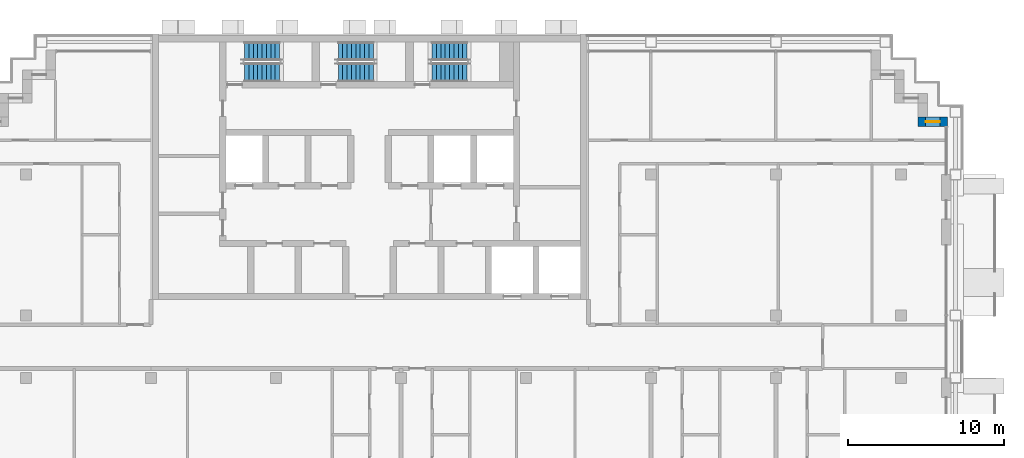
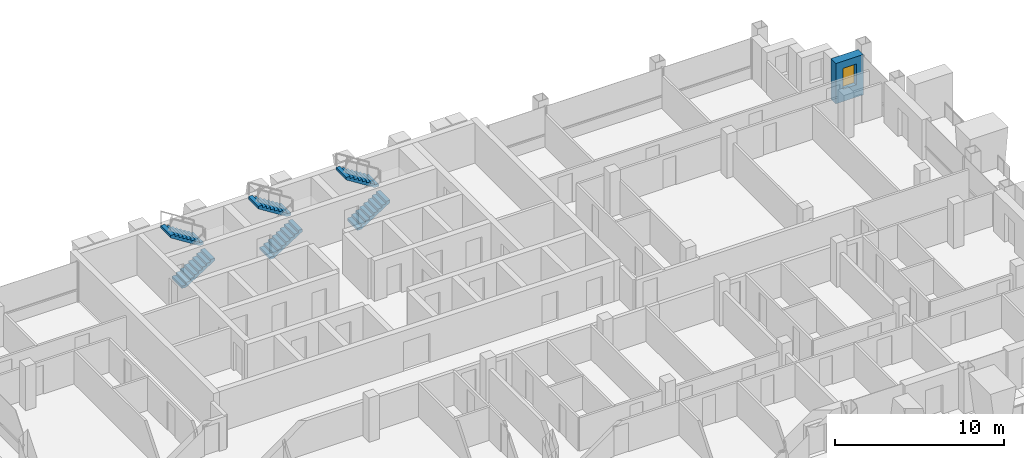
# One storey, part 12 of 16: 6 stair flights, 1 wall, 1 window, 1 opening, 3 elements without a shape of their own.
"""IFC4 building model written with IfcOpenShell, lengths in metres."""

from ifc_helpers import new_model, si_unit, direction, frame, frame_2d, origin, place, context, subcontext, project, spatial, polyline, rectangle, outline, extrude, material, layer, layer_set, type_object, element, fill, aggregate, save


model = new_model("IFC4")

# Units and contexts
model_context = context("Model", 3, precision=1e-05, world=origin(), true_north=direction((0.0, 1.0)))
body_context = subcontext(model_context, "Body", "Model", "MODEL_VIEW")
ifc_project = project(units=[si_unit("LENGTHUNIT", "METRE"), si_unit("AREAUNIT", "SQUARE_METRE"), si_unit("VOLUMEUNIT", "CUBIC_METRE"), si_unit("PLANEANGLEUNIT", "RADIAN"), si_unit("MASSUNIT", "GRAM", prefix="KILO")], contexts=[model_context])

# Site, building, storey
site_placement = place(None, origin())
site = spatial("IfcSite", under=ifc_project, at=site_placement, CompositionType="ELEMENT")
building_placement = place(site_placement, origin())
building = spatial("IfcBuilding", under=site, at=building_placement, Name="Vidyagriha Tower", CompositionType="ELEMENT")
storey_placement = place(building_placement, frame((0.0, 0.0, 178.10009765625)))
storey = spatial("IfcBuildingStorey", under=building, at=storey_placement, Name="L46", CompositionType="ELEMENT", Elevation=178.10009765625)

# Wall, opening, window
ifc_material_1 = material(Name="Precast concrete C40/50 with brick facing", Category="concrete")
ifc_layer = layer(ifc_material_1, 0.60009765625)
ifc_layer_set = layer_set([ifc_layer], Name="Precast concrete C40/50 with brick facing")
wall_type = type_object("IfcWallType", Name="Brick-faced precast wall 600", PredefinedType="STANDARD", material=ifc_layer_set)
wall_placement = place(storey_placement, frame((36.97998046875, 14.39990234375, 0.0), z_axis=(0.0, 0.0, 1.0), x_axis=(-1.0, 0.0, 0.0)))
wall = element("IfcWall", 1, at=wall_placement, inside=storey, type_object=wall_type, Name="Stepped corner wall L46 R01", PredefinedType="STANDARD", context=body_context, shape_type="SweptSolid", body=[
    extrude(rectangle(XDim=1.8798828125, YDim=0.60009765625, at=frame_2d((0.93994140625, 0.0))), origin(), (0.0, 0.0, 1.0), 2.919921875),
])
opening_placement = place(wall_placement, frame((0.489990234375, 0.0, 0.89990234375)))
opening = element("IfcOpeningElement", 2, at=opening_placement, cuts=wall, Name="Opening WN1", PredefinedType="OPENING", context=body_context, shape_type="SweptSolid", body=[
    extrude(rectangle(XDim=0.89990234375, YDim=1.5, at=frame_2d((0.449951171875, 0.75))), frame((0.0, 0.31005859375, 0.0), z_axis=(0.0, -1.0, 0.0), x_axis=(1.0, 0.0, 0.0)), (0.0, 0.0, 1.0), 0.6201171875),
])
ifc_material_2 = material(Name="Aluminium and glass window", Category="aluminium")
window_type = type_object("IfcWindowType", Name="Reveal window 900x1500", PartitioningType="NOTDEFINED", PredefinedType="WINDOW", material=ifc_material_2)
window_placement = place(opening_placement, origin())
window = element("IfcWindow", 3, at=window_placement, inside=storey, type_object=window_type, Name="Reveal window L46 R01", OverallHeight=1.5, OverallWidth=0.89990234375, PartitioningType="SINGLE_PANEL", PredefinedType="WINDOW", context=body_context, shape_type="SweptSolid", body=[
    extrude(rectangle(XDim=0.89990234375, YDim=1.5, at=frame_2d((0.449951171875, 0.75))), frame((0.0, 0.030029296875, 0.0), z_axis=(0.0, -1.0, 0.0), x_axis=(1.0, 0.0, 0.0)), (0.0, 0.0, 1.0), 0.06005859375),
])
fill(opening, window)

# Stair, stair flights
ifc_material_3 = material(Name="Concrete C40/50", Category="concrete")
stair_type = type_object("IfcStairType", Name="Exit stair, half-turn, precast flights", PredefinedType="HALF_TURN_STAIR", material=ifc_material_3)
stair_1_placement = place(storey_placement, origin())
stair_1 = element("IfcStair", 4, at=stair_1_placement, inside=storey, type_object=stair_type, Name="L46 Exit Stair ST1", PredefinedType="HALF_TURN_STAIR")
ifc_material_4 = material(Name="Precast concrete C40/50", Category="concrete")
stair_flight_type = type_object("IfcStairFlightType", Name="Exit stair flight 1200 mm, precast", PredefinedType="STRAIGHT", material=ifc_material_4)
stair_flight_1_placement = place(storey_placement, frame((-8.0, 17.550048828125, 0.0)))
stair_flight_1 = element("IfcStairFlight", 5, at=stair_flight_1_placement, type_object=stair_flight_type, Name="ST1 flight 1", NumberOfRisers=9, NumberOfTreads=8, PredefinedType="STRAIGHT", RiserHeight=0.177777778, TreadLength=0.28, context=body_context, shape_type="SweptSolid", body=[
    extrude(outline(polyline([(0.0, 0.0), (0.0, 0.177734375), (0.280029296875, 0.177734375), (0.280029296875, 0.35546875), (0.56005859375, 0.35546875), (0.56005859375, 0.533447265625), (0.840087890625, 0.533447265625), (0.840087890625, 0.711181640625), (1.1201171875, 0.711181640625), (1.1201171875, 0.888916015625), (1.39990234375, 0.888916015625), (1.39990234375, 1.066650390625), (1.679931640625, 1.066650390625), (1.679931640625, 1.244384765625), (1.9599609375, 1.244384765625), (1.9599609375, 1.422119140625), (2.239990234375, 1.422119140625), (2.239990234375, 1.60009765625), (2.239990234375, 1.24462890625), (0.27978515625, 0.0), (0.0, 0.0)])), frame((0.0, 0.60009765625, 0.0), z_axis=(0.0, -1.0, 0.0), x_axis=(1.0, 0.0, 0.0)), (0.0, 0.0, 1.0), 1.199951171875),
])
stair_flight_2_placement = place(storey_placement, frame((-5.760009765625, 18.89990234375, 1.599853515625), z_axis=(0.0, 0.0, 1.0), x_axis=(-1.0, 0.0, 0.0)))
stair_flight_2 = element("IfcStairFlight", 6, at=stair_flight_2_placement, type_object=stair_flight_type, Name="ST1 flight 2", NumberOfRisers=9, NumberOfTreads=8, PredefinedType="STRAIGHT", RiserHeight=0.177777778, TreadLength=0.28, context=body_context, shape_type="SweptSolid", body=[
    extrude(outline(polyline([(0.0, 0.0), (0.0, 0.177734375), (0.280029296875, 0.177734375), (0.280029296875, 0.35546875), (0.56005859375, 0.35546875), (0.56005859375, 0.533447265625), (0.840087890625, 0.533447265625), (0.840087890625, 0.711181640625), (1.1201171875, 0.711181640625), (1.1201171875, 0.888916015625), (1.39990234375, 0.888916015625), (1.39990234375, 1.066650390625), (1.679931640625, 1.066650390625), (1.679931640625, 1.244384765625), (1.9599609375, 1.244384765625), (1.9599609375, 1.422119140625), (2.239990234375, 1.422119140625), (2.239990234375, 1.60009765625), (2.239990234375, 1.24462890625), (0.27978515625, 0.0), (0.0, 0.0)])), frame((0.0, 0.60009765625, 0.0), z_axis=(0.0, -1.0, 0.0), x_axis=(1.0, 0.0, 0.0)), (0.0, 0.0, 1.0), 1.199951171875),
])
aggregate(stair_1, [stair_flight_1, stair_flight_2])

stair_2_placement = place(storey_placement, origin())
stair_2 = element("IfcStair", 7, at=stair_2_placement, inside=storey, type_object=stair_type, Name="L46 Exit Stair ST2", PredefinedType="HALF_TURN_STAIR")
stair_flight_3_placement = place(storey_placement, frame((-2.0, 17.550048828125, 0.0)))
stair_flight_3 = element("IfcStairFlight", 8, at=stair_flight_3_placement, type_object=stair_flight_type, Name="ST2 flight 1", NumberOfRisers=9, NumberOfTreads=8, PredefinedType="STRAIGHT", RiserHeight=0.177777778, TreadLength=0.28, context=body_context, shape_type="SweptSolid", body=[
    extrude(outline(polyline([(0.0, 0.0), (0.0, 0.177734375), (0.280029296875, 0.177734375), (0.280029296875, 0.35546875), (0.56005859375, 0.35546875), (0.56005859375, 0.533447265625), (0.840087890625, 0.533447265625), (0.840087890625, 0.711181640625), (1.1201171875, 0.711181640625), (1.1201171875, 0.888916015625), (1.39990234375, 0.888916015625), (1.39990234375, 1.066650390625), (1.679931640625, 1.066650390625), (1.679931640625, 1.244384765625), (1.9599609375, 1.244384765625), (1.9599609375, 1.422119140625), (2.239990234375, 1.422119140625), (2.239990234375, 1.60009765625), (2.239990234375, 1.24462890625), (0.27978515625, 0.0), (0.0, 0.0)])), frame((0.0, 0.60009765625, 0.0), z_axis=(0.0, -1.0, 0.0), x_axis=(1.0, 0.0, 0.0)), (0.0, 0.0, 1.0), 1.199951171875),
])
stair_flight_4_placement = place(storey_placement, frame((0.239990234375, 18.89990234375, 1.599853515625), z_axis=(0.0, 0.0, 1.0), x_axis=(-1.0, 0.0, 0.0)))
stair_flight_4 = element("IfcStairFlight", 9, at=stair_flight_4_placement, type_object=stair_flight_type, Name="ST2 flight 2", NumberOfRisers=9, NumberOfTreads=8, PredefinedType="STRAIGHT", RiserHeight=0.177777778, TreadLength=0.28, context=body_context, shape_type="SweptSolid", body=[
    extrude(outline(polyline([(0.0, 0.0), (0.0, 0.177734375), (0.280029296875, 0.177734375), (0.280029296875, 0.35546875), (0.56005859375, 0.35546875), (0.56005859375, 0.533447265625), (0.840087890625, 0.533447265625), (0.840087890625, 0.711181640625), (1.1201171875, 0.711181640625), (1.1201171875, 0.888916015625), (1.39990234375, 0.888916015625), (1.39990234375, 1.066650390625), (1.679931640625, 1.066650390625), (1.679931640625, 1.244384765625), (1.9599609375, 1.244384765625), (1.9599609375, 1.422119140625), (2.239990234375, 1.422119140625), (2.239990234375, 1.60009765625), (2.239990234375, 1.24462890625), (0.27978515625, 0.0), (0.0, 0.0)])), frame((0.0, 0.60009765625, 0.0), z_axis=(0.0, -1.0, 0.0), x_axis=(1.0, 0.0, 0.0)), (0.0, 0.0, 1.0), 1.199951171875),
])
aggregate(stair_2, [stair_flight_3, stair_flight_4])

stair_3_placement = place(storey_placement, origin())
stair_3 = element("IfcStair", 10, at=stair_3_placement, inside=storey, type_object=stair_type, Name="L46 Exit Stair ST3", PredefinedType="HALF_TURN_STAIR")
stair_flight_5_placement = place(storey_placement, frame((4.0, 17.550048828125, 0.0)))
stair_flight_5 = element("IfcStairFlight", 11, at=stair_flight_5_placement, type_object=stair_flight_type, Name="ST3 flight 1", NumberOfRisers=9, NumberOfTreads=8, PredefinedType="STRAIGHT", RiserHeight=0.177777778, TreadLength=0.28, context=body_context, shape_type="SweptSolid", body=[
    extrude(outline(polyline([(0.0, 0.0), (0.0, 0.177734375), (0.280029296875, 0.177734375), (0.280029296875, 0.35546875), (0.56005859375, 0.35546875), (0.56005859375, 0.533447265625), (0.840087890625, 0.533447265625), (0.840087890625, 0.711181640625), (1.1201171875, 0.711181640625), (1.1201171875, 0.888916015625), (1.39990234375, 0.888916015625), (1.39990234375, 1.066650390625), (1.679931640625, 1.066650390625), (1.679931640625, 1.244384765625), (1.9599609375, 1.244384765625), (1.9599609375, 1.422119140625), (2.239990234375, 1.422119140625), (2.239990234375, 1.60009765625), (2.239990234375, 1.24462890625), (0.27978515625, 0.0), (0.0, 0.0)])), frame((0.0, 0.60009765625, 0.0), z_axis=(0.0, -1.0, 0.0), x_axis=(1.0, 0.0, 0.0)), (0.0, 0.0, 1.0), 1.199951171875),
])
stair_flight_6_placement = place(storey_placement, frame((6.239990234375, 18.89990234375, 1.599853515625), z_axis=(0.0, 0.0, 1.0), x_axis=(-1.0, 0.0, 0.0)))
stair_flight_6 = element("IfcStairFlight", 12, at=stair_flight_6_placement, type_object=stair_flight_type, Name="ST3 flight 2", NumberOfRisers=9, NumberOfTreads=8, PredefinedType="STRAIGHT", RiserHeight=0.177777778, TreadLength=0.28, context=body_context, shape_type="SweptSolid", body=[
    extrude(outline(polyline([(0.0, 0.0), (0.0, 0.177734375), (0.280029296875, 0.177734375), (0.280029296875, 0.35546875), (0.56005859375, 0.35546875), (0.56005859375, 0.533447265625), (0.840087890625, 0.533447265625), (0.840087890625, 0.711181640625), (1.1201171875, 0.711181640625), (1.1201171875, 0.888916015625), (1.39990234375, 0.888916015625), (1.39990234375, 1.066650390625), (1.679931640625, 1.066650390625), (1.679931640625, 1.244384765625), (1.9599609375, 1.244384765625), (1.9599609375, 1.422119140625), (2.239990234375, 1.422119140625), (2.239990234375, 1.60009765625), (2.239990234375, 1.24462890625), (0.27978515625, 0.0), (0.0, 0.0)])), frame((0.0, 0.60009765625, 0.0), z_axis=(0.0, -1.0, 0.0), x_axis=(1.0, 0.0, 0.0)), (0.0, 0.0, 1.0), 1.199951171875),
])
aggregate(stair_3, [stair_flight_5, stair_flight_6])

save(model, "model.ifc")
